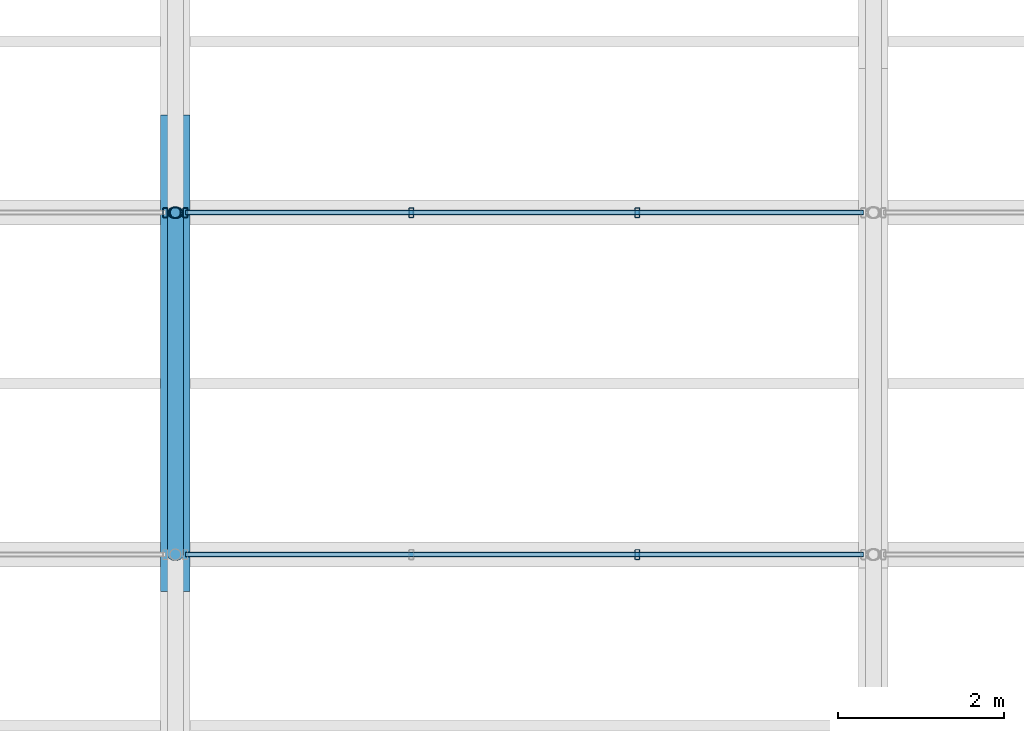
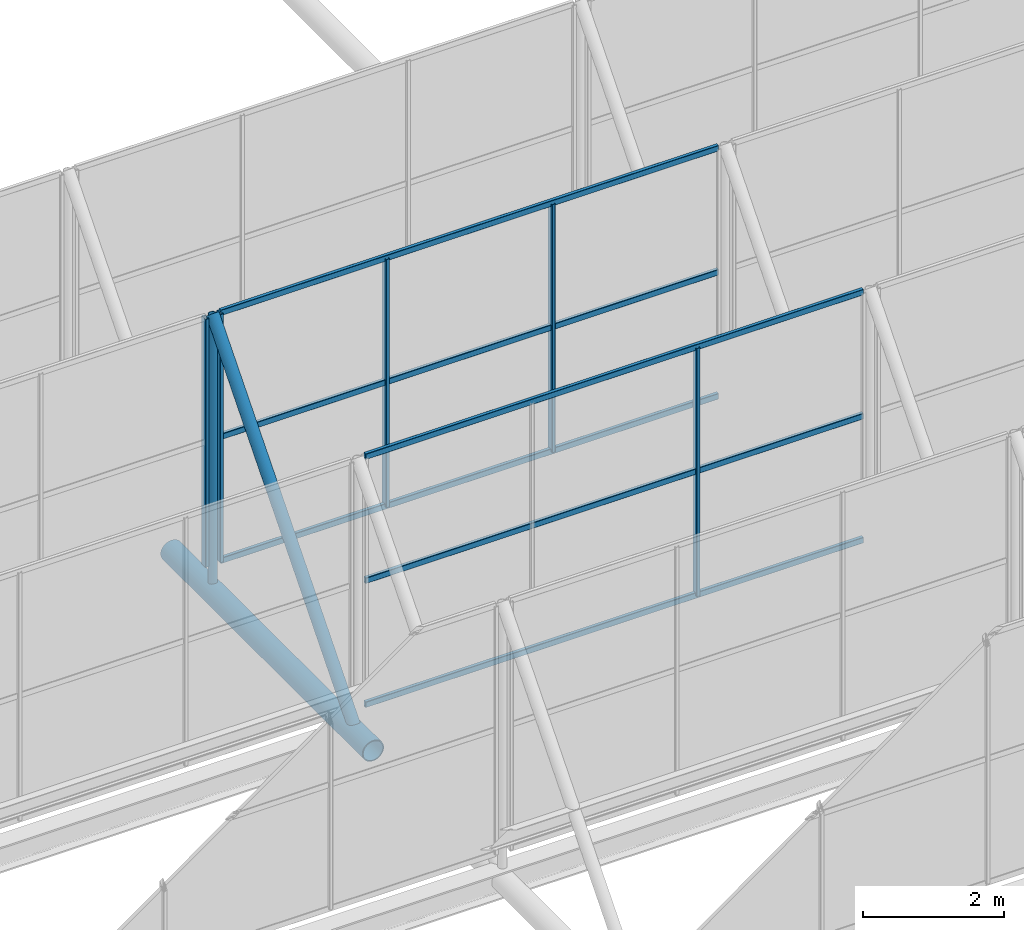
# One storey, part 19 of 77: 14 members, 3 elements without a shape of their own.
"""IFC4 building model written with IfcOpenShell, lengths in metres."""

import ifcopenshell
import ifcopenshell.guid

model = None  # the IFC model being written
_history = None  # IfcOwnerHistory: only IFC2X3 demands one
_inside = {}  # id of a spatial element -> (the spatial element, [elements in it])
_under = {}  # id of a project, library or spatial element -> (it, [spatial elements below it])
_declared = {}  # id of a project -> (the project, [libraries it declares])
_typed = {}  # id of a type object -> (the type object, [elements of that type])
_made_of = {}  # id of a material, layer set ... -> (it, [elements and type objects made of it])


def new_model(schema):
    """Start an empty IFC model of exactly this schema.

    Asked for "IFC4X3", IfcOpenShell would pick the latest addendum, in which some entities
    have other attributes; the version numbers below select the first issue.
    IFC2X3 requires an IfcOwnerHistory on every rooted entity: one is made here for all.
    """
    global model, _history
    if schema == "IFC4X3":
        model = ifcopenshell.file(schema_version=(4, 3, 0, 0))
    else:
        model = ifcopenshell.file(schema=schema)
    _inside.clear()
    _under.clear()
    _declared.clear()
    _typed.clear()
    _made_of.clear()
    _history = None
    if model.schema == "IFC2X3":
        org = make("IfcOrganization", Name="unknown")
        user = make(
            "IfcPersonAndOrganization",
            ThePerson=make("IfcPerson", FamilyName="unknown"),
            TheOrganization=org,
        )
        app = make(
            "IfcApplication",
            ApplicationDeveloper=org,
            Version="unknown",
            ApplicationFullName="unknown",
            ApplicationIdentifier="unknown",
        )
        _history = make(
            "IfcOwnerHistory",
            OwningUser=user,
            OwningApplication=app,
            ChangeAction="ADDED",
            CreationDate=0,
        )
    return model


def make(cls, **values):
    """One entity of the class cls with the attributes given. An attribute that is None is left unset."""
    return model.create_entity(
        cls, **{name: value for name, value in values.items() if value is not None}
    )


def rooted(cls, **values):
    """An entity with a GlobalId (a new one), such as an element, a storey or a relation."""
    return make(cls, GlobalId=ifcopenshell.guid.new(), OwnerHistory=_history, **values)


def si_unit(unit_type, name, prefix=None):
    """IfcSIUnit, for example si_unit("LENGTHUNIT", "METRE", prefix="MILLI")."""
    return make("IfcSIUnit", UnitType=unit_type, Prefix=prefix, Name=name)


def derived_unit(unit_type, elements):
    """IfcDerivedUnit: a product of units, each with its exponent."""
    return make(
        "IfcDerivedUnit",
        Elements=[
            make("IfcDerivedUnitElement", Unit=unit, Exponent=power)
            for unit, power in elements
        ],
        UnitType=unit_type,
    )


def assignment(units):
    """IfcUnitAssignment: the units of a project."""
    return None if units is None else make("IfcUnitAssignment", Units=units)


def point(xyz):
    """IfcCartesianPoint."""
    return None if xyz is None else make("IfcCartesianPoint", Coordinates=xyz)


def direction(xyz):
    """IfcDirection."""
    return None if xyz is None else make("IfcDirection", DirectionRatios=xyz)


def frame(location, z_axis=None, x_axis=None):
    """IfcAxis2Placement3D, a coordinate frame: its origin and axes. An axis left out is left unset."""
    return make(
        "IfcAxis2Placement3D",
        Location=point(location),
        Axis=direction(z_axis),
        RefDirection=direction(x_axis),
    )


def frame_2d(location, x_axis=None):
    """IfcAxis2Placement2D, a coordinate frame in the plane: its origin and x axis."""
    return make(
        "IfcAxis2Placement2D", Location=point(location), RefDirection=direction(x_axis)
    )


def origin():
    """The frame at (0, 0, 0) with its axes left unset."""
    return frame((0.0, 0.0, 0.0))


def origin_2d():
    """The frame at (0, 0) in the plane with its x axis left unset."""
    return frame_2d((0.0, 0.0))


def place(relative_to, where):
    """IfcLocalPlacement: puts the frame where relative to a parent placement (None: the world)."""
    return make(
        "IfcLocalPlacement", PlacementRelTo=relative_to, RelativePlacement=where
    )


def context(
    kind, dimensions, precision=None, world=None, true_north=None, identifier=None
):
    """IfcGeometricRepresentationContext, for example the 3D "Model" context."""
    return make(
        "IfcGeometricRepresentationContext",
        ContextIdentifier=identifier,
        ContextType=kind,
        CoordinateSpaceDimension=dimensions,
        Precision=precision,
        WorldCoordinateSystem=world,
        TrueNorth=true_north,
    )


def subcontext(parent, identifier, kind, view, scale=None):
    """IfcGeometricRepresentationSubContext, for example "Body" below "Model"."""
    return make(
        "IfcGeometricRepresentationSubContext",
        ContextIdentifier=identifier,
        ContextType=kind,
        ParentContext=parent,
        TargetScale=scale,
        TargetView=view,
    )


def project(units=None, contexts=None):
    """IfcProject with its units and contexts."""
    return rooted(
        "IfcProject",
        Name="project",
        RepresentationContexts=contexts,
        UnitsInContext=assignment(units),
    )


def spatial(cls, under=None, at=None, **own):
    """A site, building, storey or space (cls), placed at a placement, below another one or the project."""
    s = rooted(cls, ObjectPlacement=at, **own)
    if under is not None:
        _under.setdefault(under.id(), (under, []))[1].append(s)
    return s


def profile(cls, at=None, kind="AREA", **sizes):
    """A parametric profile (cls). Its sizes go by their IFC names, for example OverallWidth=200.0."""
    return make(cls, ProfileType=kind, Position=at, **sizes)


def hollow_rectangle(**sizes):
    """IfcRectangleHollowProfileDef."""
    return profile("IfcRectangleHollowProfileDef", **sizes)


def hollow_circle(**sizes):
    """IfcCircleHollowProfileDef."""
    return profile("IfcCircleHollowProfileDef", **sizes)


def extrude(swept, where, along, depth):
    """IfcExtrudedAreaSolid: the profile swept, set in the frame where, extruded along a direction by depth."""
    return make(
        "IfcExtrudedAreaSolid",
        SweptArea=swept,
        Position=where,
        ExtrudedDirection=direction(along),
        Depth=depth,
    )


def shape(context_of_items, identifier, shape_type, items):
    """IfcShapeRepresentation: the items that make up one representation, for example the "Body"."""
    return make(
        "IfcShapeRepresentation",
        ContextOfItems=context_of_items,
        RepresentationIdentifier=identifier,
        RepresentationType=shape_type,
        Items=items,
    )


def material(Name=None, Category=None):
    """IfcMaterial."""
    return make("IfcMaterial", Name=Name, Category=Category)


def material_profile(
    of_material, cross_section, Name=None, Category=None, Priority=None
):
    """IfcMaterialProfile: a cross section and its material."""
    return make(
        "IfcMaterialProfile",
        Name=Name,
        Material=of_material,
        Profile=cross_section,
        Priority=Priority,
        Category=Category,
    )


def profile_set(profiles, Name=None, composite=None):
    """IfcMaterialProfileSet."""
    return make(
        "IfcMaterialProfileSet",
        Name=Name,
        MaterialProfiles=profiles,
        CompositeProfile=composite,
    )


def made_of(thing, what):
    """Note that an element or type object is made of a material, layer set ...; save() writes the relation."""
    if what is not None:
        _made_of.setdefault(what.id(), (what, []))[1].append(thing)
    return thing


def type_object(cls, material=None, **own):
    """A type object (cls), such as IfcWallType, which elements share."""
    return made_of(rooted(cls, **own), material)


def element(
    cls,
    number,
    at=None,
    inside=None,
    cuts=None,
    type_object=None,
    material=None,
    context=None,
    identifier="Body",
    shape_type=None,
    held_by="IfcProductDefinitionShape",
    body=None,
    shapes=None,
    **own,
):
    """One element of the class cls, such as IfcWall. Its Tag is "e" and its number.

    at: its placement. inside: the storey or other place that contains it. cuts: it is an
    opening in that element (IfcRelVoidsElement). A single representation is given by context,
    identifier, shape_type and body (its items); several are given by shapes. held_by: the class
    of the entity that holds the representations. save() writes the other relations.
    """
    e = rooted(cls, Tag="e%d" % number, ObjectPlacement=at, **own)
    if body is not None:
        shapes = [shape(context, identifier, shape_type, body)]
    if shapes is not None:
        e.Representation = make(held_by, Representations=shapes)
    if inside is not None:
        _inside.setdefault(inside.id(), (inside, []))[1].append(e)
    if cuts is not None:
        rooted(
            "IfcRelVoidsElement", RelatingBuildingElement=cuts, RelatedOpeningElement=e
        )
    if type_object is not None:
        _typed.setdefault(type_object.id(), (type_object, []))[1].append(e)
    return made_of(e, material)


def aggregate(whole, parts):
    """IfcRelAggregates: a whole, such as a stair, and the parts it consists of."""
    return rooted("IfcRelAggregates", RelatingObject=whole, RelatedObjects=parts)


def save(model, path):
    """Write the relations noted so far, then the file.

    IfcRelAggregates (storeys below a building ...), IfcRelContainedInSpatialStructure (elements
    in a storey), IfcRelDefinesByType, IfcRelAssociatesMaterial and IfcRelDeclares: one each for
    every whole, place, type object, material and project.
    """
    for whole, parts in _under.values():
        aggregate(whole, parts)
    for where, things in _inside.values():
        rooted(
            "IfcRelContainedInSpatialStructure",
            RelatedElements=things,
            RelatingStructure=where,
        )
    for kind, things in _typed.values():
        rooted("IfcRelDefinesByType", RelatedObjects=things, RelatingType=kind)
    for what, things in _made_of.values():
        rooted("IfcRelAssociatesMaterial", RelatedObjects=things, RelatingMaterial=what)
    for by, libraries in _declared.values():
        rooted("IfcRelDeclares", RelatingContext=by, RelatedDefinitions=libraries)
    model.write(path)


model = new_model("IFC4")

# Units and contexts
model_context = context("Model", 3, precision=1e-05, world=origin(), true_north=direction((0.0, 1.0)))
body_context = subcontext(model_context, "Body", "Model", "MODEL_VIEW")
ifc_project = project(units=[si_unit("LENGTHUNIT", "METRE"), si_unit("AREAUNIT", "SQUARE_METRE"), si_unit("VOLUMEUNIT", "CUBIC_METRE"), si_unit("PLANEANGLEUNIT", "RADIAN"), si_unit("MASSUNIT", "GRAM", prefix="KILO"), derived_unit("THERMALTRANSMITTANCEUNIT", [(si_unit("MASSUNIT", "GRAM", prefix="KILO"), 1), (si_unit("TIMEUNIT", "SECOND"), -3), (si_unit("THERMODYNAMICTEMPERATUREUNIT", "KELVIN"), -1)])], contexts=[model_context])

# Site, building, storey
site_placement = place(None, origin())
site = spatial("IfcSite", under=ifc_project, at=site_placement, CompositionType="ELEMENT")
building_placement = place(site_placement, origin())
building = spatial("IfcBuilding", under=site, at=building_placement, Name="Kharveza Railside Sports Centre", CompositionType="ELEMENT")
storey_placement = place(building_placement, frame((0.0, 0.0, 17.10009765625)))
storey = spatial("IfcBuildingStorey", under=building, at=storey_placement, Name="L04", CompositionType="ELEMENT", Elevation=17.10009765625)

# Curtain wall, member
ifc_material_1 = material(Name="Low-E solar-control laminated glass", Category="glass")
curtain_wall_type = type_object("IfcCurtainWallType", Name="CW-NL01", PredefinedType="NOTDEFINED", material=ifc_material_1)
curtain_wall_1_placement = place(storey_placement, origin())
curtain_wall_1 = element("IfcCurtainWall", 1, at=curtain_wall_1_placement, inside=storey, type_object=curtain_wall_type, Name="CW-V1NL-5-2", PredefinedType="NOTDEFINED")
ifc_material_2 = material(Name="Anodised aluminium 6063-T6", Category="aluminium")
ifc_material_profile_1 = material_profile(ifc_material_2, hollow_rectangle(XDim=0.06005859375, YDim=0.1201171875, WallThickness=0.0048828125, InnerFilletRadius=0.0048828125, OuterFilletRadius=0.010009765625, at=origin_2d()), Name="RHS 60x120x5.0")
ifc_profile_set_1 = profile_set([ifc_material_profile_1], Name="Anodised aluminium 6063-T6")
member_type_1 = type_object("IfcMemberType", Name="CW-ML05", PredefinedType="MULLION", material=ifc_profile_set_1)
member_1_placement = place(storey_placement, frame((47.56005859375, 56.5712890625, -0.550048828125), z_axis=(0.0, 0.0, 1.0), x_axis=(1.0, 0.0, 0.0)))
member_1 = element("IfcMember", 2, at=member_1_placement, type_object=member_type_1, Name="CW-V1NL-5-2-ML3", PredefinedType="MULLION", context=body_context, shape_type="SweptSolid", body=[
    extrude(hollow_rectangle(XDim=0.06005859375, YDim=0.1201171875, WallThickness=0.0048828125, InnerFilletRadius=0.0048828125, OuterFilletRadius=0.010009765625, at=origin_2d()), origin(), (0.0, 0.0, 1.0), 4.300048828125),
])

curtain_wall_2_placement = place(storey_placement, origin())
curtain_wall_2 = element("IfcCurtainWall", 3, at=curtain_wall_2_placement, inside=storey, type_object=curtain_wall_type, Name="CW-V1NL-6-1", PredefinedType="NOTDEFINED")
member_2_placement = place(storey_placement, frame((41.8798828125, 60.685791015625, -0.550048828125), z_axis=(0.0, 0.0, 1.0), x_axis=(1.0, 0.0, 0.0)))
member_2 = element("IfcMember", 4, at=member_2_placement, type_object=member_type_1, Name="CW-V1NL-6-1-ML4", PredefinedType="MULLION", context=body_context, shape_type="SweptSolid", body=[
    extrude(hollow_rectangle(XDim=0.06005859375, YDim=0.1201171875, WallThickness=0.0048828125, InnerFilletRadius=0.0048828125, OuterFilletRadius=0.010009765625, at=origin_2d()), origin(), (0.0, 0.0, 1.0), 4.300048828125),
])
aggregate(curtain_wall_2, [member_2])

# Curtain wall, members
curtain_wall_3_placement = place(storey_placement, origin())
curtain_wall_3 = element("IfcCurtainWall", 5, at=curtain_wall_3_placement, inside=storey, type_object=curtain_wall_type, Name="CW-V1NL-6-2", PredefinedType="NOTDEFINED")
member_3_placement = place(storey_placement, frame((42.1201171875, 60.685791015625, -0.550048828125), z_axis=(0.0, 0.0, 1.0), x_axis=(1.0, 0.0, 0.0)))
member_3 = element("IfcMember", 6, at=member_3_placement, type_object=member_type_1, Name="CW-V1NL-6-2-ML1", PredefinedType="MULLION", context=body_context, shape_type="SweptSolid", body=[
    extrude(hollow_rectangle(XDim=0.06005859375, YDim=0.1201171875, WallThickness=0.0048828125, InnerFilletRadius=0.0048828125, OuterFilletRadius=0.010009765625, at=origin_2d()), origin(), (0.0, 0.0, 1.0), 4.300048828125),
])
member_4_placement = place(storey_placement, frame((44.840087890625, 60.685791015625, -0.550048828125), z_axis=(0.0, 0.0, 1.0), x_axis=(1.0, 0.0, 0.0)))
member_4 = element("IfcMember", 7, at=member_4_placement, type_object=member_type_1, Name="CW-V1NL-6-2-ML2", PredefinedType="MULLION", context=body_context, shape_type="SweptSolid", body=[
    extrude(hollow_rectangle(XDim=0.06005859375, YDim=0.1201171875, WallThickness=0.0048828125, InnerFilletRadius=0.0048828125, OuterFilletRadius=0.010009765625, at=origin_2d()), origin(), (0.0, 0.0, 1.0), 4.300048828125),
])
member_5_placement = place(storey_placement, frame((47.56005859375, 60.685791015625, -0.550048828125), z_axis=(0.0, 0.0, 1.0), x_axis=(1.0, 0.0, 0.0)))
member_5 = element("IfcMember", 8, at=member_5_placement, type_object=member_type_1, Name="CW-V1NL-6-2-ML3", PredefinedType="MULLION", context=body_context, shape_type="SweptSolid", body=[
    extrude(hollow_rectangle(XDim=0.06005859375, YDim=0.1201171875, WallThickness=0.0048828125, InnerFilletRadius=0.0048828125, OuterFilletRadius=0.010009765625, at=origin_2d()), origin(), (0.0, 0.0, 1.0), 4.300048828125),
])

# Member
ifc_material_profile_2 = material_profile(ifc_material_2, hollow_rectangle(XDim=0.06005859375, YDim=0.10009765625, WallThickness=0.00390625, InnerFilletRadius=0.00390625, OuterFilletRadius=0.008056640625, at=origin_2d()), Name="RHS 60x100x4.0")
ifc_profile_set_2 = profile_set([ifc_material_profile_2], Name="Anodised aluminium 6063-T6")
member_type_2 = type_object("IfcMemberType", Name="CW-TR05", PredefinedType="USERDEFINED", material=ifc_profile_set_2)
member_6_placement = place(storey_placement, frame((42.1201171875, 56.5712890625, -0.550048828125), z_axis=(1.0, 0.0, 0.0), x_axis=(0.0, 1.0, 0.0)))
member_6 = element("IfcMember", 9, at=member_6_placement, type_object=member_type_2, Name="CW-V1NL-5-2-TR1", ObjectType="TRANSOM", PredefinedType="USERDEFINED", context=body_context, shape_type="SweptSolid", body=[
    extrude(hollow_rectangle(XDim=0.06005859375, YDim=0.10009765625, WallThickness=0.00390625, InnerFilletRadius=0.00390625, OuterFilletRadius=0.008056640625, at=origin_2d()), origin(), (0.0, 0.0, 1.0), 8.159912109375),
])

member_7_placement = place(storey_placement, frame((42.1201171875, 56.5712890625, 1.599853515625), z_axis=(1.0, 0.0, 0.0), x_axis=(0.0, 1.0, 0.0)))
member_7 = element("IfcMember", 10, at=member_7_placement, type_object=member_type_2, Name="CW-V1NL-5-2-TR2", ObjectType="TRANSOM", PredefinedType="USERDEFINED", context=body_context, shape_type="SweptSolid", body=[
    extrude(hollow_rectangle(XDim=0.06005859375, YDim=0.10009765625, WallThickness=0.00390625, InnerFilletRadius=0.00390625, OuterFilletRadius=0.008056640625, at=origin_2d()), origin(), (0.0, 0.0, 1.0), 8.159912109375),
])

member_8_placement = place(storey_placement, frame((42.1201171875, 56.5712890625, 3.75), z_axis=(1.0, 0.0, 0.0), x_axis=(0.0, 1.0, 0.0)))
member_8 = element("IfcMember", 11, at=member_8_placement, type_object=member_type_2, Name="CW-V1NL-5-2-TR3", ObjectType="TRANSOM", PredefinedType="USERDEFINED", context=body_context, shape_type="SweptSolid", body=[
    extrude(hollow_rectangle(XDim=0.06005859375, YDim=0.10009765625, WallThickness=0.00390625, InnerFilletRadius=0.00390625, OuterFilletRadius=0.008056640625, at=origin_2d()), origin(), (0.0, 0.0, 1.0), 8.159912109375),
])

aggregate(curtain_wall_1, [member_1, member_6, member_7, member_8])

member_9_placement = place(storey_placement, frame((42.1201171875, 60.685791015625, -0.550048828125), z_axis=(1.0, 0.0, 0.0), x_axis=(0.0, 1.0, 0.0)))
member_9 = element("IfcMember", 12, at=member_9_placement, type_object=member_type_2, Name="CW-V1NL-6-2-TR1", ObjectType="TRANSOM", PredefinedType="USERDEFINED", context=body_context, shape_type="SweptSolid", body=[
    extrude(hollow_rectangle(XDim=0.06005859375, YDim=0.10009765625, WallThickness=0.00390625, InnerFilletRadius=0.00390625, OuterFilletRadius=0.008056640625, at=origin_2d()), origin(), (0.0, 0.0, 1.0), 8.159912109375),
])

member_10_placement = place(storey_placement, frame((42.1201171875, 60.685791015625, 1.599853515625), z_axis=(1.0, 0.0, 0.0), x_axis=(0.0, 1.0, 0.0)))
member_10 = element("IfcMember", 13, at=member_10_placement, type_object=member_type_2, Name="CW-V1NL-6-2-TR2", ObjectType="TRANSOM", PredefinedType="USERDEFINED", context=body_context, shape_type="SweptSolid", body=[
    extrude(hollow_rectangle(XDim=0.06005859375, YDim=0.10009765625, WallThickness=0.00390625, InnerFilletRadius=0.00390625, OuterFilletRadius=0.008056640625, at=origin_2d()), origin(), (0.0, 0.0, 1.0), 8.159912109375),
])

member_11_placement = place(storey_placement, frame((42.1201171875, 60.685791015625, 3.75), z_axis=(1.0, 0.0, 0.0), x_axis=(0.0, 1.0, 0.0)))
member_11 = element("IfcMember", 14, at=member_11_placement, type_object=member_type_2, Name="CW-V1NL-6-2-TR3", ObjectType="TRANSOM", PredefinedType="USERDEFINED", context=body_context, shape_type="SweptSolid", body=[
    extrude(hollow_rectangle(XDim=0.06005859375, YDim=0.10009765625, WallThickness=0.00390625, InnerFilletRadius=0.00390625, OuterFilletRadius=0.008056640625, at=origin_2d()), origin(), (0.0, 0.0, 1.0), 8.159912109375),
])

aggregate(curtain_wall_3, [member_3, member_4, member_5, member_9, member_10, member_11])

# Members
ifc_material_3 = material(Name="Steel S355J2", Category="steel")
ifc_material_profile_3 = material_profile(ifc_material_3, hollow_circle(Radius=0.177734375, WallThickness=0.01611328125, at=origin_2d()), Name="CHS 355.6x16.0")
ifc_profile_set_3 = profile_set([ifc_material_profile_3], Name="Steel S355J2")
member_type_3 = type_object("IfcMemberType", Name="MB-CH01", PredefinedType="CHORD", material=ifc_profile_set_3)
member_12_placement = place(storey_placement, frame((42.0, 56.12890625, -1.050048828125), z_axis=(0.0, 1.0, 0.0), x_axis=(-1.0, 0.0, 0.0)))
element("IfcMember", 15, at=member_12_placement, inside=storey, type_object=member_type_3, Name="MB-V1TR-TC-2-6", PredefinedType="CHORD", context=body_context, shape_type="SweptSolid", body=[
    extrude(hollow_circle(Radius=0.177734375, WallThickness=0.01611328125, at=origin_2d()), origin(), (0.0, 0.0, 1.0), 5.728759765625),
])
ifc_material_profile_4 = material_profile(ifc_material_3, hollow_circle(Radius=0.096923828125, WallThickness=0.010009765625, at=origin_2d()), Name="CHS 193.7x10.0")
ifc_profile_set_4 = profile_set([ifc_material_profile_4], Name="Steel S355J2")
member_type_4 = type_object("IfcMemberType", Name="MB-ST02", PredefinedType="STRUT", material=ifc_profile_set_4)
member_13_placement = place(storey_placement, frame((42.0, 56.5712890625, -1.050048828125), z_axis=(0.0, 0.65002553535, 0.759912365601), x_axis=(-1.0, 0.0, 0.0)))
element("IfcMember", 16, at=member_13_placement, inside=storey, type_object=member_type_4, Name="MB-V1SAW-RFT-6-2", PredefinedType="STRUT", context=body_context, shape_type="SweptSolid", body=[
    extrude(hollow_circle(Radius=0.096923828125, WallThickness=0.010009765625, at=origin_2d()), origin(), (0.0, 0.0, 1.0), 6.329833984375),
])
ifc_material_profile_5 = material_profile(ifc_material_3, hollow_circle(Radius=0.06982421875, WallThickness=0.008056640625, at=origin_2d()), Name="CHS 139.7x8.0")
ifc_profile_set_5 = profile_set([ifc_material_profile_5], Name="Steel S355J2")
member_type_5 = type_object("IfcMemberType", Name="MB-ST04", PredefinedType="STRUT", material=ifc_profile_set_5)
member_14_placement = place(storey_placement, frame((42.0, 60.685791015625, -1.050048828125), z_axis=(0.0, 0.0, 1.0), x_axis=(1.0, 0.0, 0.0)))
element("IfcMember", 17, at=member_14_placement, inside=storey, type_object=member_type_5, Name="MB-V1SAW-PST-6-2", PredefinedType="STRUT", context=body_context, shape_type="SweptSolid", body=[
    extrude(hollow_circle(Radius=0.06982421875, WallThickness=0.008056640625, at=origin_2d()), origin(), (0.0, 0.0, 1.0), 4.81005859375),
])

save(model, "model.ifc")
